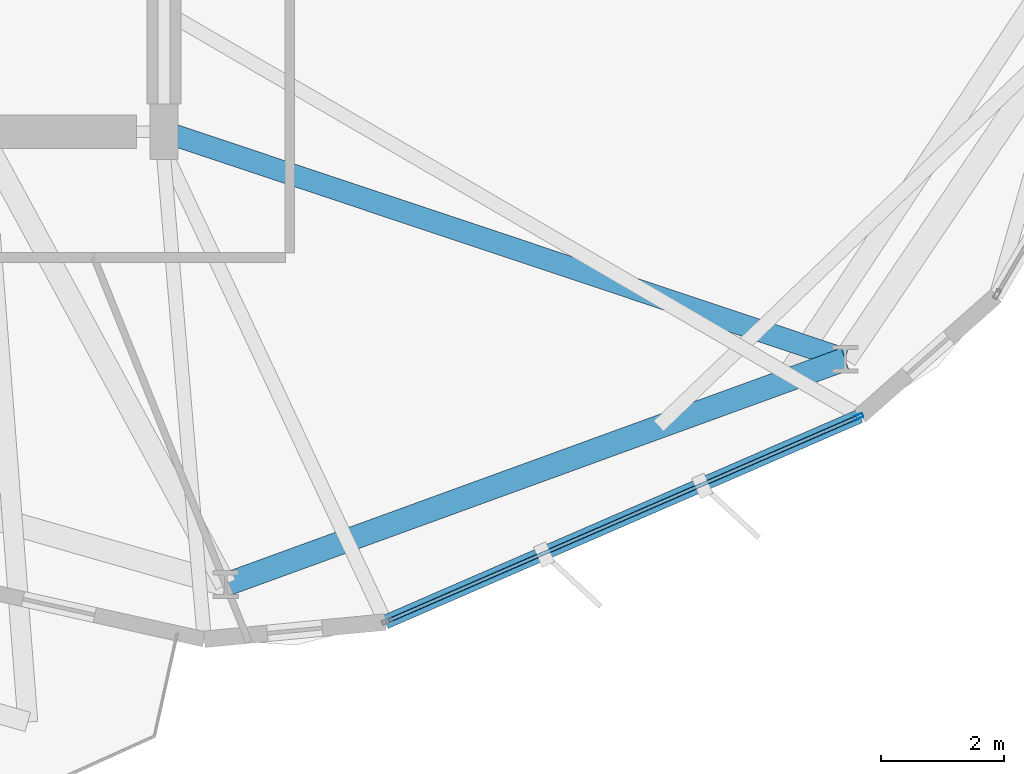
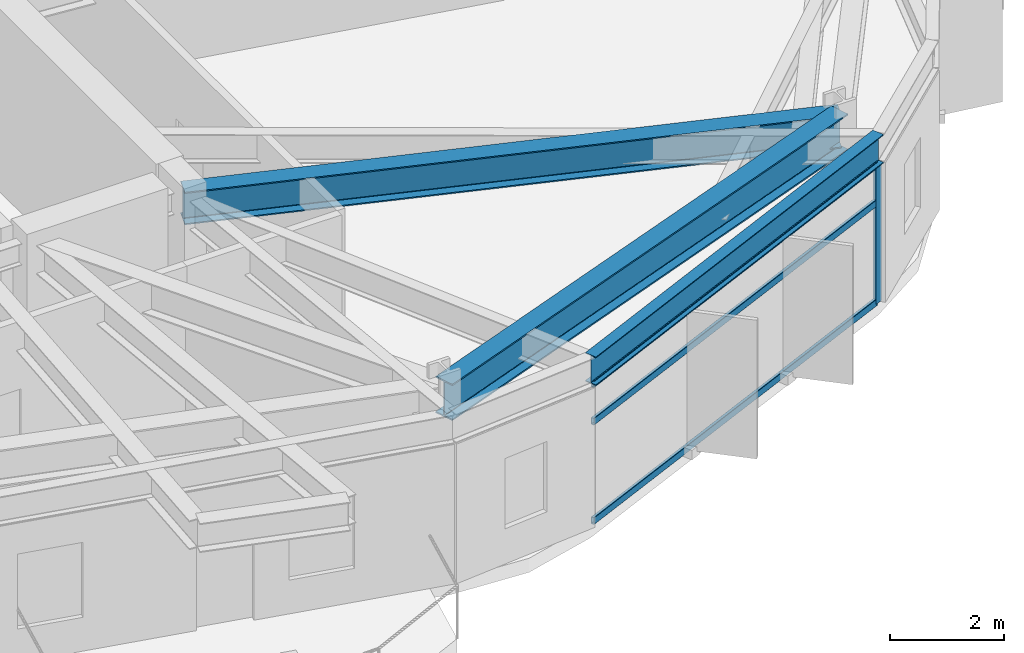
# One storey, part 6 of 23: 4 members, 3 beams, 1 element without a shape of its own.
"""IFC4 building model written with IfcOpenShell, lengths in metres."""

from ifc_helpers import new_model, si_unit, direction, frame, origin, origin_2d, place, context, subcontext, project, spatial, hollow_rectangle, i_section, extrude, material, layer, layer_set, material_profile, profile_set, type_object, element, aggregate, save


model = new_model("IFC4")

# Units and contexts
model_context = context("Model", 3, precision=1e-05, world=origin(), true_north=direction((0.0, 1.0)))
body_context = subcontext(model_context, "Body", "Model", "MODEL_VIEW")
ifc_project = project(units=[si_unit("LENGTHUNIT", "METRE"), si_unit("AREAUNIT", "SQUARE_METRE"), si_unit("VOLUMEUNIT", "CUBIC_METRE"), si_unit("PLANEANGLEUNIT", "RADIAN"), si_unit("MASSUNIT", "GRAM", prefix="KILO")], contexts=[model_context])

# Site, building, storey
site_placement = place(None, origin())
site = spatial("IfcSite", under=ifc_project, at=site_placement, CompositionType="ELEMENT")
building_placement = place(site_placement, origin())
building = spatial("IfcBuilding", under=site, at=building_placement, Name="Soratama Intermodal Tower", CompositionType="ELEMENT")
storey_placement = place(building_placement, frame((0.0, 0.0, 118.60009765625)))
storey = spatial("IfcBuildingStorey", under=building, at=storey_placement, Name="L28", CompositionType="ELEMENT", Elevation=118.60009765625)

# Beams
ifc_material_1 = material(Name="Structural steel ASTM A992 Grade 50", Category="steel")
ifc_material_profile_1 = material_profile(ifc_material_1, i_section(OverallWidth=0.35498046875, OverallDepth=0.695068359375, WebThickness=0.015380859375, FlangeThickness=0.02490234375, FilletRadius=0.01611328125, at=origin_2d()), Name="W27X146")
ifc_profile_set_1 = profile_set([ifc_material_profile_1], Name="Structural steel ASTM A992 Grade 50")
beam_type_1 = type_object("IfcBeamType", Name="BM-RING-W27X146", PredefinedType="BEAM", material=ifc_profile_set_1)
beam_1_placement = place(storey_placement, frame((44.60009765625, 15.0, 3.25244140625), z_axis=(0.948503923169, -0.316765382787, 0.0), x_axis=(0.316765382787, 0.948503923169, 0.0)))
element("IfcBeam", 1, at=beam_1_placement, inside=storey, type_object=beam_type_1, Name="BM-L28-RAD-09", PredefinedType="BEAM", context=body_context, shape_type="SweptSolid", body=[
    extrude(i_section(OverallWidth=0.35498046875, OverallDepth=0.695068359375, WebThickness=0.015380859375, FlangeThickness=0.02490234375, FilletRadius=0.01611328125, at=origin_2d()), origin(), (0.0, 0.0, 1.0), 11.715087890625),
])
ifc_material_2 = material(Name="Structural steel ASTM A992 Grade 50", Category="steel")
ifc_material_profile_2 = material_profile(ifc_material_2, i_section(OverallWidth=0.382080078125, OverallDepth=0.779052734375, WebThickness=0.01806640625, FlangeThickness=0.030029296875, FilletRadius=0.01806640625, at=origin_2d()), Name="W30X191")
ifc_profile_set_2 = profile_set([ifc_material_profile_2], Name="Structural steel ASTM A992 Grade 50")
beam_type_2 = type_object("IfcBeamType", Name="BM-RING-W30X191", PredefinedType="BEAM", material=ifc_profile_set_2)
beam_2_placement = place(storey_placement, frame((45.60693359375, 7.611083984375, 3.21044921875), z_axis=(0.939690636038, 0.342025596326, 0.0), x_axis=(-0.342025596326, 0.939690636038, 0.0)))
element("IfcBeam", 2, at=beam_2_placement, inside=storey, type_object=beam_type_2, Name="BM-L28-RING-08", PredefinedType="BEAM", context=body_context, shape_type="SweptSolid", body=[
    extrude(i_section(OverallWidth=0.382080078125, OverallDepth=0.779052734375, WebThickness=0.01806640625, FlangeThickness=0.030029296875, FilletRadius=0.01806640625, at=origin_2d()), origin(), (0.0, 0.0, 1.0), 10.75341796875),
])
ifc_material_3 = material(Name="Structural steel ASTM A992 Grade 50", Category="steel")
ifc_material_profile_3 = material_profile(ifc_material_3, i_section(OverallWidth=0.22900390625, OverallDepth=0.612060546875, WebThickness=0.011962890625, FlangeThickness=0.01953125, FilletRadius=0.012939453125, at=origin_2d()), Name="W24X84")
ifc_profile_set_3 = profile_set([ifc_material_profile_3], Name="Structural steel ASTM A992 Grade 50")
beam_type_3 = type_object("IfcBeamType", Name="BM-SPN-W24X84", PredefinedType="SPANDREL", material=ifc_profile_set_3)
beam_3_placement = place(storey_placement, frame((48.2109375, 7.0, 3.2939453125), z_axis=(0.917308537763, 0.398177154729, 0.0), x_axis=(-0.398177154729, 0.917308537763, 0.0)))
element("IfcBeam", 3, at=beam_3_placement, inside=storey, type_object=beam_type_3, Name="BS-L28-F08", PredefinedType="SPANDREL", context=body_context, shape_type="SweptSolid", body=[
    extrude(i_section(OverallWidth=0.22900390625, OverallDepth=0.612060546875, WebThickness=0.011962890625, FlangeThickness=0.01953125, FilletRadius=0.012939453125, at=origin_2d()), origin(), (0.0, 0.0, 1.0), 8.441162109375),
])

# Curtain wall, members
ifc_material_4 = material(Name="Double-glazed aluminium curtain wall", Category="aluminium")
ifc_layer = layer(ifc_material_4, 0.159912109375)
ifc_layer_set = layer_set([ifc_layer], Name="Double-glazed aluminium curtain wall")
curtain_wall_type = type_object("IfcCurtainWallType", Name="CW-SYS-3", PredefinedType="NOTDEFINED", material=ifc_layer_set)
curtain_wall_placement = place(storey_placement, origin())
curtain_wall = element("IfcCurtainWall", 4, at=curtain_wall_placement, inside=storey, type_object=curtain_wall_type, Name="L28 Faceted Curtain Wall F08", PredefinedType="NOTDEFINED")
ifc_material_5 = material(Name="Anodised aluminium AA 6063-T6", Category="aluminium")
ifc_material_profile_4 = material_profile(ifc_material_5, hollow_rectangle(XDim=0.070068359375, YDim=0.159912109375, WallThickness=0.0048828125, InnerFilletRadius=0.0048828125, OuterFilletRadius=0.010009765625, at=origin_2d()), Name="CWM160X70X5")
ifc_profile_set_4 = profile_set([ifc_material_profile_4], Name="Anodised aluminium AA 6063-T6")
member_type_1 = type_object("IfcMemberType", Name="MT-CWM-3", PredefinedType="MULLION", material=ifc_profile_set_4)
member_1_placement = place(storey_placement, frame((55.926513671875, 10.34912109375, 0.0), z_axis=(0.0, 0.0, 1.0), x_axis=(-0.398104403825, 0.917340113401, 0.0)))
member_1 = element("IfcMember", 5, at=member_1_placement, type_object=member_type_1, Name="CW-3 mullion 2", PredefinedType="MULLION", context=body_context, shape_type="SweptSolid", body=[
    extrude(hollow_rectangle(XDim=0.070068359375, YDim=0.159912109375, WallThickness=0.0048828125, InnerFilletRadius=0.0048828125, OuterFilletRadius=0.010009765625, at=origin_2d()), origin(), (0.0, 0.0, 1.0), 2.97900390625),
])
ifc_material_6 = material(Name="Anodised aluminium AA 6063-T6", Category="aluminium")
ifc_material_profile_5 = material_profile(ifc_material_6, hollow_rectangle(XDim=0.06494140625, YDim=0.14990234375, WallThickness=0.0048828125, InnerFilletRadius=0.0048828125, OuterFilletRadius=0.010009765625, at=origin_2d()), Name="CWT150X65X5")
ifc_profile_set_5 = profile_set([ifc_material_profile_5], Name="Anodised aluminium AA 6063-T6")
member_type_2 = type_object("IfcMemberType", Name="TT-CWT-1", PredefinedType="USERDEFINED", material=ifc_profile_set_5)
member_2_placement = place(storey_placement, frame((48.265625, 7.0244140625, 0.02978515625), z_axis=(0.917337126623, 0.398111286098, 0.0), x_axis=(-0.398111286098, 0.917337126623, 0.0)))
member_2 = element("IfcMember", 6, at=member_2_placement, type_object=member_type_2, Name="CW-3 transom 1.1", ObjectType="TRANSOM", PredefinedType="USERDEFINED", context=body_context, shape_type="SweptSolid", body=[
    extrude(hollow_rectangle(XDim=0.06494140625, YDim=0.14990234375, WallThickness=0.0048828125, InnerFilletRadius=0.0048828125, OuterFilletRadius=0.010009765625, at=origin_2d()), origin(), (0.0, 0.0, 1.0), 8.321044921875),
])
member_3_placement = place(storey_placement, frame((48.265625, 7.0244140625, 2.14990234375), z_axis=(0.917337126623, 0.398111286098, 0.0), x_axis=(-0.398111286098, 0.917337126623, 0.0)))
member_3 = element("IfcMember", 7, at=member_3_placement, type_object=member_type_2, Name="CW-3 transom 1.2", ObjectType="TRANSOM", PredefinedType="USERDEFINED", context=body_context, shape_type="SweptSolid", body=[
    extrude(hollow_rectangle(XDim=0.06494140625, YDim=0.14990234375, WallThickness=0.0048828125, InnerFilletRadius=0.0048828125, OuterFilletRadius=0.010009765625, at=origin_2d()), origin(), (0.0, 0.0, 1.0), 8.321044921875),
])
member_4_placement = place(storey_placement, frame((48.265625, 7.0244140625, 2.948974609375), z_axis=(0.917337126623, 0.398111286098, 0.0), x_axis=(-0.398111286098, 0.917337126623, 0.0)))
member_4 = element("IfcMember", 8, at=member_4_placement, type_object=member_type_2, Name="CW-3 transom 1.3", ObjectType="TRANSOM", PredefinedType="USERDEFINED", context=body_context, shape_type="SweptSolid", body=[
    extrude(hollow_rectangle(XDim=0.06494140625, YDim=0.14990234375, WallThickness=0.0048828125, InnerFilletRadius=0.0048828125, OuterFilletRadius=0.010009765625, at=origin_2d()), origin(), (0.0, 0.0, 1.0), 8.321044921875),
])
aggregate(curtain_wall, [member_1, member_2, member_3, member_4])

save(model, "model.ifc")
